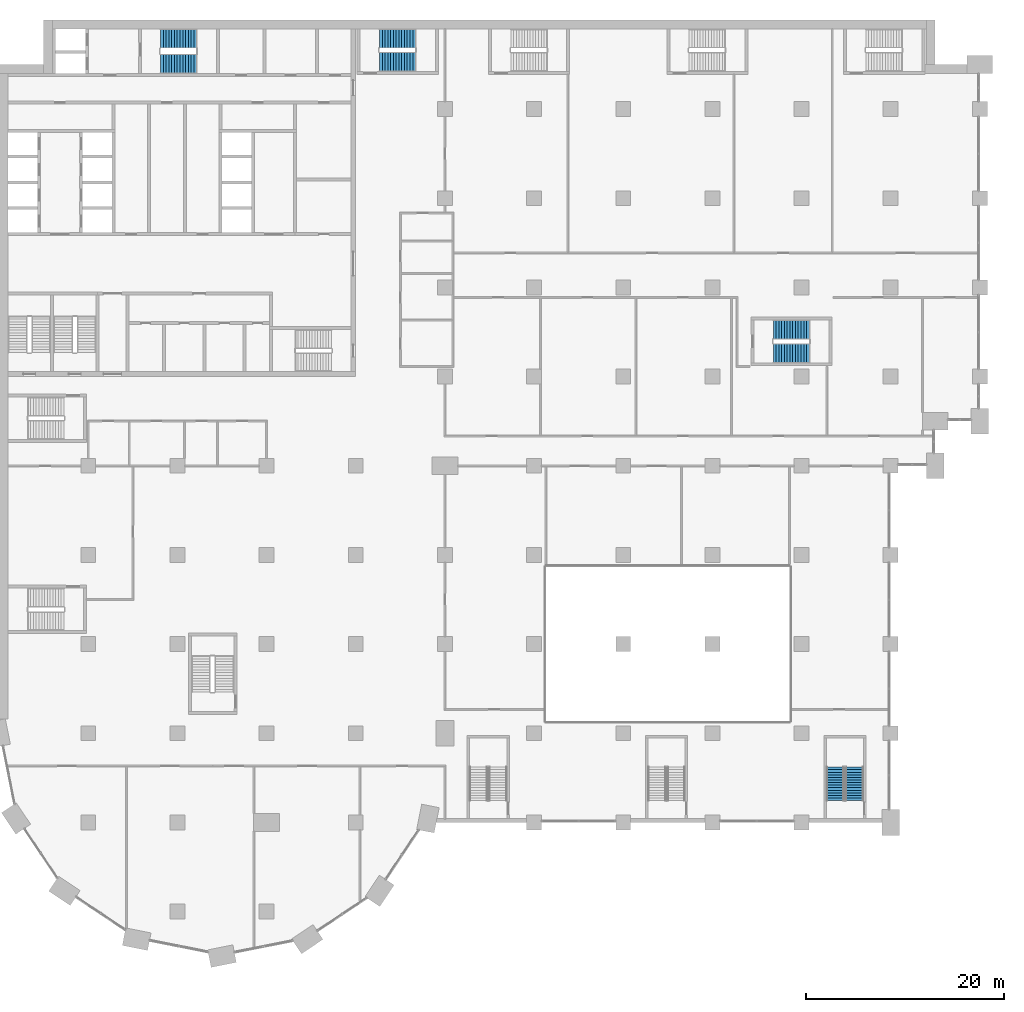
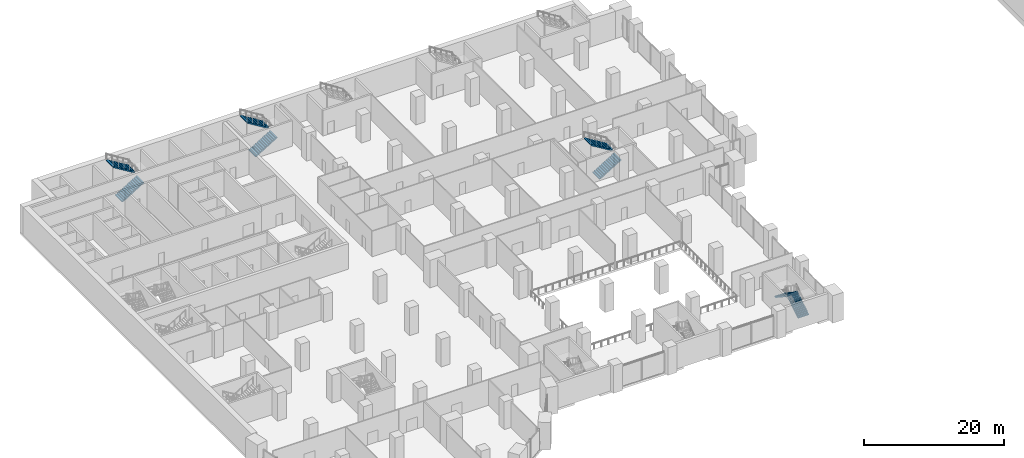
# One storey, part 33 of 49: 8 stair flights, 4 elements without a shape of their own.
"""IFC4 building model written with IfcOpenShell, lengths in metres."""

from ifc_helpers import new_model, si_unit, direction, frame, origin, place, context, subcontext, project, spatial, polyline, outline, extrude, material, type_object, element, aggregate, save


model = new_model("IFC4")

# Units and contexts
model_context = context("Model", 3, precision=1e-05, world=origin(), true_north=direction((0.0, 1.0)))
body_context = subcontext(model_context, "Body", "Model", "MODEL_VIEW")
ifc_project = project(units=[si_unit("LENGTHUNIT", "METRE"), si_unit("AREAUNIT", "SQUARE_METRE"), si_unit("VOLUMEUNIT", "CUBIC_METRE"), si_unit("PLANEANGLEUNIT", "RADIAN"), si_unit("MASSUNIT", "GRAM", prefix="KILO")], contexts=[model_context])

# Site, building, storey
site_placement = place(None, origin())
site = spatial("IfcSite", under=ifc_project, at=site_placement, CompositionType="ELEMENT")
building_placement = place(site_placement, origin())
building = spatial("IfcBuilding", under=site, at=building_placement, Name="Hunhe Ridgeline Campus", CompositionType="ELEMENT")
storey_placement = place(building_placement, frame((0.0, 0.0, 21.60009765625)))
storey = spatial("IfcBuildingStorey", under=building, at=storey_placement, Name="L04", CompositionType="ELEMENT", Elevation=21.60009765625)

# Stair, stair flights
ifc_material = material(Name="Concrete C40", Category="concrete")
stair_type_1 = type_object("IfcStairType", Name="Podium exit stair 1800", PredefinedType="HALF_TURN_STAIR", material=ifc_material)
stair_1_placement = place(storey_placement, origin())
stair_1 = element("IfcStair", 1, at=stair_1_placement, inside=storey, type_object=stair_type_1, Name="L04 podium stair PS3", PredefinedType="HALF_TURN_STAIR")
stair_flight_type_1 = type_object("IfcStairFlightType", Name="Podium stair flight 1800", PredefinedType="STRAIGHT", material=ifc_material)
stair_flight_1_placement = place(storey_placement, frame((86.35009765625, 20.199951171875, 0.0), z_axis=(0.0, 0.0, 1.0), x_axis=(0.0, 1.0, 0.0)))
stair_flight_1 = element("IfcStairFlight", 2, at=stair_flight_1_placement, type_object=stair_flight_type_1, Name="PS3 flight 1", NumberOfRisers=14, NumberOfTreads=13, PredefinedType="STRAIGHT", RiserHeight=0.171428571, TreadLength=0.26, context=body_context, shape_type="SweptSolid", body=[
    extrude(outline(polyline([(0.0, 0.0), (0.0, 0.17138671875), (0.260009765625, 0.17138671875), (0.260009765625, 0.3427734375), (0.52001953125, 0.3427734375), (0.52001953125, 0.514404296875), (0.780029296875, 0.514404296875), (0.780029296875, 0.685791015625), (1.0400390625, 0.685791015625), (1.0400390625, 0.857177734375), (1.300048828125, 0.857177734375), (1.300048828125, 1.028564453125), (1.56005859375, 1.028564453125), (1.56005859375, 1.199951171875), (1.820068359375, 1.199951171875), (1.820068359375, 1.371337890625), (2.080078125, 1.371337890625), (2.080078125, 1.54296875), (2.340087890625, 1.54296875), (2.340087890625, 1.71435546875), (2.60009765625, 1.71435546875), (2.60009765625, 1.8857421875), (2.860107421875, 1.8857421875), (2.860107421875, 2.05712890625), (3.1201171875, 2.05712890625), (3.1201171875, 2.228515625), (3.3798828125, 2.228515625), (3.3798828125, 2.39990234375), (3.3798828125, 2.049072265625), (0.272216796875, 0.0), (0.0, 0.0)])), frame((0.0, 0.89990234375, 0.0), z_axis=(0.0, -1.0, 0.0), x_axis=(1.0, 0.0, 0.0)), (0.0, 0.0, 1.0), 1.800048828125),
])
stair_flight_2_placement = place(storey_placement, frame((84.39990234375, 23.580078125, 2.39990234375), z_axis=(0.0, 0.0, 1.0), x_axis=(0.0, -1.0, 0.0)))
stair_flight_2 = element("IfcStairFlight", 3, at=stair_flight_2_placement, type_object=stair_flight_type_1, Name="PS3 flight 2", NumberOfRisers=14, NumberOfTreads=13, PredefinedType="STRAIGHT", RiserHeight=0.171428571, TreadLength=0.26, context=body_context, shape_type="SweptSolid", body=[
    extrude(outline(polyline([(0.0, 0.0), (0.0, 0.17138671875), (0.260009765625, 0.17138671875), (0.260009765625, 0.3427734375), (0.52001953125, 0.3427734375), (0.52001953125, 0.514404296875), (0.780029296875, 0.514404296875), (0.780029296875, 0.685791015625), (1.0400390625, 0.685791015625), (1.0400390625, 0.857177734375), (1.300048828125, 0.857177734375), (1.300048828125, 1.028564453125), (1.56005859375, 1.028564453125), (1.56005859375, 1.199951171875), (1.820068359375, 1.199951171875), (1.820068359375, 1.371337890625), (2.080078125, 1.371337890625), (2.080078125, 1.54296875), (2.340087890625, 1.54296875), (2.340087890625, 1.71435546875), (2.60009765625, 1.71435546875), (2.60009765625, 1.8857421875), (2.860107421875, 1.8857421875), (2.860107421875, 2.05712890625), (3.1201171875, 2.05712890625), (3.1201171875, 2.228515625), (3.3798828125, 2.228515625), (3.3798828125, 2.39990234375), (3.3798828125, 2.049072265625), (0.272216796875, 0.0), (0.0, 0.0)])), frame((0.0, 0.89990234375, 0.0), z_axis=(0.0, -1.0, 0.0), x_axis=(1.0, 0.0, 0.0)), (0.0, 0.0, 1.0), 1.800048828125),
])
aggregate(stair_1, [stair_flight_1, stair_flight_2])

stair_type_2 = type_object("IfcStairType", Name="Reinforced concrete dog-leg stair 1950 Concrete C40", PredefinedType="HALF_TURN_STAIR", material=ifc_material)
stair_2_placement = place(storey_placement, origin())
stair_2 = element("IfcStair", 4, at=stair_2_placement, inside=storey, type_object=stair_type_2, Name="L04 S1", PredefinedType="HALF_TURN_STAIR")
stair_flight_type_2 = type_object("IfcStairFlightType", Name="Reinforced concrete stair flight 1950 Concrete C40", PredefinedType="STRAIGHT", material=ifc_material)
stair_flight_3_placement = place(storey_placement, frame((16.300048828125, 94.574951171875, 0.0), z_axis=(0.0, 0.0, 1.0), x_axis=(1.0, 0.0, 0.0)))
stair_flight_3 = element("IfcStairFlight", 5, at=stair_flight_3_placement, type_object=stair_flight_type_2, Name="ST1 flight 1", NumberOfRisers=14, NumberOfTreads=13, PredefinedType="STRAIGHT", RiserHeight=0.171428571, TreadLength=0.28, context=body_context, shape_type="SweptSolid", body=[
    extrude(outline(polyline([(0.0, 0.0), (0.0, 0.17138671875), (0.280029296875, 0.17138671875), (0.280029296875, 0.3427734375), (0.56005859375, 0.3427734375), (0.56005859375, 0.514404296875), (0.840087890625, 0.514404296875), (0.840087890625, 0.685791015625), (1.1201171875, 0.685791015625), (1.1201171875, 0.857177734375), (1.39990234375, 0.857177734375), (1.39990234375, 1.028564453125), (1.679931640625, 1.028564453125), (1.679931640625, 1.199951171875), (1.9599609375, 1.199951171875), (1.9599609375, 1.371337890625), (2.239990234375, 1.371337890625), (2.239990234375, 1.54296875), (2.52001953125, 1.54296875), (2.52001953125, 1.71435546875), (2.800048828125, 1.71435546875), (2.800048828125, 1.8857421875), (3.080078125, 1.8857421875), (3.080078125, 2.05712890625), (3.360107421875, 2.05712890625), (3.360107421875, 2.228515625), (3.639892578125, 2.228515625), (3.639892578125, 2.39990234375), (3.639892578125, 2.052734375), (0.287109375, 0.0), (0.0, 0.0)])), frame((0.0, 0.97509765625, 0.0), z_axis=(0.0, -1.0, 0.0), x_axis=(1.0, 0.0, 0.0)), (0.0, 0.0, 1.0), 1.949951171875),
    extrude(outline(polyline([(0.030029296875, 0.030029296875), (0.030029296875, 0.141357421875), (0.31005859375, 0.141357421875), (0.31005859375, 0.31298828125), (0.590087890625, 0.31298828125), (0.590087890625, 0.484375), (0.8701171875, 0.484375), (0.8701171875, 0.65576171875), (1.14990234375, 0.65576171875), (1.14990234375, 0.8271484375), (1.429931640625, 0.8271484375), (1.429931640625, 0.99853515625), (1.7099609375, 0.99853515625), (1.7099609375, 1.169921875), (1.989990234375, 1.169921875), (1.989990234375, 1.34130859375), (2.27001953125, 1.34130859375), (2.27001953125, 1.512939453125), (2.550048828125, 1.512939453125), (2.550048828125, 1.684326171875), (2.830078125, 1.684326171875), (2.830078125, 1.855712890625), (3.110107421875, 1.855712890625), (3.110107421875, 2.027099609375), (3.389892578125, 2.027099609375), (3.389892578125, 2.198486328125), (3.610107421875, 2.198486328125), (3.610107421875, 2.069580078125), (0.278564453125, 0.030029296875), (0.030029296875, 0.030029296875)])), frame((0.0, -0.070068359375, 0.0), z_axis=(0.0, -1.0, 0.0), x_axis=(1.0, 0.0, 0.0)), (0.0, 0.0, 1.0), 0.019775390625),
    extrude(outline(polyline([(0.030029296875, 0.030029296875), (0.030029296875, 0.141357421875), (0.31005859375, 0.141357421875), (0.31005859375, 0.31298828125), (0.590087890625, 0.31298828125), (0.590087890625, 0.484375), (0.8701171875, 0.484375), (0.8701171875, 0.65576171875), (1.14990234375, 0.65576171875), (1.14990234375, 0.8271484375), (1.429931640625, 0.8271484375), (1.429931640625, 0.99853515625), (1.7099609375, 0.99853515625), (1.7099609375, 1.169921875), (1.989990234375, 1.169921875), (1.989990234375, 1.34130859375), (2.27001953125, 1.34130859375), (2.27001953125, 1.512939453125), (2.550048828125, 1.512939453125), (2.550048828125, 1.684326171875), (2.830078125, 1.684326171875), (2.830078125, 1.855712890625), (3.110107421875, 1.855712890625), (3.110107421875, 2.027099609375), (3.389892578125, 2.027099609375), (3.389892578125, 2.198486328125), (3.610107421875, 2.198486328125), (3.610107421875, 2.069580078125), (0.278564453125, 0.030029296875), (0.030029296875, 0.030029296875)])), frame((0.0, 0.010009765625, 0.0), z_axis=(0.0, -1.0, 0.0), x_axis=(1.0, 0.0, 0.0)), (0.0, 0.0, 1.0), 0.019775390625),
    extrude(outline(polyline([(0.030029296875, 0.030029296875), (0.030029296875, 0.141357421875), (0.31005859375, 0.141357421875), (0.31005859375, 0.31298828125), (0.590087890625, 0.31298828125), (0.590087890625, 0.484375), (0.8701171875, 0.484375), (0.8701171875, 0.65576171875), (1.14990234375, 0.65576171875), (1.14990234375, 0.8271484375), (1.429931640625, 0.8271484375), (1.429931640625, 0.99853515625), (1.7099609375, 0.99853515625), (1.7099609375, 1.169921875), (1.989990234375, 1.169921875), (1.989990234375, 1.34130859375), (2.27001953125, 1.34130859375), (2.27001953125, 1.512939453125), (2.550048828125, 1.512939453125), (2.550048828125, 1.684326171875), (2.830078125, 1.684326171875), (2.830078125, 1.855712890625), (3.110107421875, 1.855712890625), (3.110107421875, 2.027099609375), (3.389892578125, 2.027099609375), (3.389892578125, 2.198486328125), (3.610107421875, 2.198486328125), (3.610107421875, 2.069580078125), (0.278564453125, 0.030029296875), (0.030029296875, 0.030029296875)])), frame((0.0, 0.090087890625, 0.0), z_axis=(0.0, -1.0, 0.0), x_axis=(1.0, 0.0, 0.0)), (0.0, 0.0, 1.0), 0.019775390625),
])
stair_flight_4_placement = place(storey_placement, frame((19.93994140625, 97.125, 2.39990234375), z_axis=(0.0, 0.0, 1.0), x_axis=(-1.0, 0.0, 0.0)))
stair_flight_4 = element("IfcStairFlight", 6, at=stair_flight_4_placement, type_object=stair_flight_type_2, Name="ST1 flight 2", NumberOfRisers=14, NumberOfTreads=13, PredefinedType="STRAIGHT", RiserHeight=0.171428571, TreadLength=0.28, context=body_context, shape_type="SweptSolid", body=[
    extrude(outline(polyline([(0.0, 0.0), (0.0, 0.17138671875), (0.280029296875, 0.17138671875), (0.280029296875, 0.3427734375), (0.56005859375, 0.3427734375), (0.56005859375, 0.514404296875), (0.840087890625, 0.514404296875), (0.840087890625, 0.685791015625), (1.1201171875, 0.685791015625), (1.1201171875, 0.857177734375), (1.39990234375, 0.857177734375), (1.39990234375, 1.028564453125), (1.679931640625, 1.028564453125), (1.679931640625, 1.199951171875), (1.9599609375, 1.199951171875), (1.9599609375, 1.371337890625), (2.239990234375, 1.371337890625), (2.239990234375, 1.54296875), (2.52001953125, 1.54296875), (2.52001953125, 1.71435546875), (2.800048828125, 1.71435546875), (2.800048828125, 1.8857421875), (3.080078125, 1.8857421875), (3.080078125, 2.05712890625), (3.360107421875, 2.05712890625), (3.360107421875, 2.228515625), (3.639892578125, 2.228515625), (3.639892578125, 2.39990234375), (3.639892578125, 2.052734375), (0.287109375, 0.0), (0.0, 0.0)])), frame((0.0, 0.97509765625, 0.0), z_axis=(0.0, -1.0, 0.0), x_axis=(1.0, 0.0, 0.0)), (0.0, 0.0, 1.0), 1.949951171875),
    extrude(outline(polyline([(0.030029296875, 0.030029296875), (0.030029296875, 0.141357421875), (0.31005859375, 0.141357421875), (0.31005859375, 0.31298828125), (0.590087890625, 0.31298828125), (0.590087890625, 0.484375), (0.8701171875, 0.484375), (0.8701171875, 0.65576171875), (1.14990234375, 0.65576171875), (1.14990234375, 0.8271484375), (1.429931640625, 0.8271484375), (1.429931640625, 0.99853515625), (1.7099609375, 0.99853515625), (1.7099609375, 1.169921875), (1.989990234375, 1.169921875), (1.989990234375, 1.34130859375), (2.27001953125, 1.34130859375), (2.27001953125, 1.512939453125), (2.550048828125, 1.512939453125), (2.550048828125, 1.684326171875), (2.830078125, 1.684326171875), (2.830078125, 1.855712890625), (3.110107421875, 1.855712890625), (3.110107421875, 2.027099609375), (3.389892578125, 2.027099609375), (3.389892578125, 2.198486328125), (3.610107421875, 2.198486328125), (3.610107421875, 2.069580078125), (0.278564453125, 0.030029296875), (0.030029296875, 0.030029296875)])), frame((0.0, -0.070068359375, 0.0), z_axis=(0.0, -1.0, 0.0), x_axis=(1.0, 0.0, 0.0)), (0.0, 0.0, 1.0), 0.019775390625),
    extrude(outline(polyline([(0.030029296875, 0.030029296875), (0.030029296875, 0.141357421875), (0.31005859375, 0.141357421875), (0.31005859375, 0.31298828125), (0.590087890625, 0.31298828125), (0.590087890625, 0.484375), (0.8701171875, 0.484375), (0.8701171875, 0.65576171875), (1.14990234375, 0.65576171875), (1.14990234375, 0.8271484375), (1.429931640625, 0.8271484375), (1.429931640625, 0.99853515625), (1.7099609375, 0.99853515625), (1.7099609375, 1.169921875), (1.989990234375, 1.169921875), (1.989990234375, 1.34130859375), (2.27001953125, 1.34130859375), (2.27001953125, 1.512939453125), (2.550048828125, 1.512939453125), (2.550048828125, 1.684326171875), (2.830078125, 1.684326171875), (2.830078125, 1.855712890625), (3.110107421875, 1.855712890625), (3.110107421875, 2.027099609375), (3.389892578125, 2.027099609375), (3.389892578125, 2.198486328125), (3.610107421875, 2.198486328125), (3.610107421875, 2.069580078125), (0.278564453125, 0.030029296875), (0.030029296875, 0.030029296875)])), frame((0.0, 0.010009765625, 0.0), z_axis=(0.0, -1.0, 0.0), x_axis=(1.0, 0.0, 0.0)), (0.0, 0.0, 1.0), 0.019775390625),
    extrude(outline(polyline([(0.030029296875, 0.030029296875), (0.030029296875, 0.141357421875), (0.31005859375, 0.141357421875), (0.31005859375, 0.31298828125), (0.590087890625, 0.31298828125), (0.590087890625, 0.484375), (0.8701171875, 0.484375), (0.8701171875, 0.65576171875), (1.14990234375, 0.65576171875), (1.14990234375, 0.8271484375), (1.429931640625, 0.8271484375), (1.429931640625, 0.99853515625), (1.7099609375, 0.99853515625), (1.7099609375, 1.169921875), (1.989990234375, 1.169921875), (1.989990234375, 1.34130859375), (2.27001953125, 1.34130859375), (2.27001953125, 1.512939453125), (2.550048828125, 1.512939453125), (2.550048828125, 1.684326171875), (2.830078125, 1.684326171875), (2.830078125, 1.855712890625), (3.110107421875, 1.855712890625), (3.110107421875, 2.027099609375), (3.389892578125, 2.027099609375), (3.389892578125, 2.198486328125), (3.610107421875, 2.198486328125), (3.610107421875, 2.069580078125), (0.278564453125, 0.030029296875), (0.030029296875, 0.030029296875)])), frame((0.0, 0.090087890625, 0.0), z_axis=(0.0, -1.0, 0.0), x_axis=(1.0, 0.0, 0.0)), (0.0, 0.0, 1.0), 0.019775390625),
])
aggregate(stair_2, [stair_flight_3, stair_flight_4])

stair_3_placement = place(storey_placement, origin())
stair_3 = element("IfcStair", 7, at=stair_3_placement, inside=storey, type_object=stair_type_2, Name="L04 E1", PredefinedType="HALF_TURN_STAIR")
stair_flight_5_placement = place(storey_placement, frame((38.39990234375, 94.77490234375, 0.0), z_axis=(0.0, 0.0, 1.0), x_axis=(1.0, 0.0, 0.0)))
stair_flight_5 = element("IfcStairFlight", 8, at=stair_flight_5_placement, type_object=stair_flight_type_2, Name="ST5 flight 1", NumberOfRisers=14, NumberOfTreads=13, PredefinedType="STRAIGHT", RiserHeight=0.171428571, TreadLength=0.28, context=body_context, shape_type="SweptSolid", body=[
    extrude(outline(polyline([(0.0, 0.0), (0.0, 0.17138671875), (0.280029296875, 0.17138671875), (0.280029296875, 0.3427734375), (0.56005859375, 0.3427734375), (0.56005859375, 0.514404296875), (0.840087890625, 0.514404296875), (0.840087890625, 0.685791015625), (1.1201171875, 0.685791015625), (1.1201171875, 0.857177734375), (1.39990234375, 0.857177734375), (1.39990234375, 1.028564453125), (1.679931640625, 1.028564453125), (1.679931640625, 1.199951171875), (1.9599609375, 1.199951171875), (1.9599609375, 1.371337890625), (2.239990234375, 1.371337890625), (2.239990234375, 1.54296875), (2.52001953125, 1.54296875), (2.52001953125, 1.71435546875), (2.800048828125, 1.71435546875), (2.800048828125, 1.8857421875), (3.080078125, 1.8857421875), (3.080078125, 2.05712890625), (3.360107421875, 2.05712890625), (3.360107421875, 2.228515625), (3.639892578125, 2.228515625), (3.639892578125, 2.39990234375), (3.639892578125, 2.052734375), (0.287109375, 0.0), (0.0, 0.0)])), frame((0.0, 0.97509765625, 0.0), z_axis=(0.0, -1.0, 0.0), x_axis=(1.0, 0.0, 0.0)), (0.0, 0.0, 1.0), 1.949951171875),
    extrude(outline(polyline([(0.030029296875, 0.030029296875), (0.030029296875, 0.141357421875), (0.31005859375, 0.141357421875), (0.31005859375, 0.31298828125), (0.590087890625, 0.31298828125), (0.590087890625, 0.484375), (0.8701171875, 0.484375), (0.8701171875, 0.65576171875), (1.14990234375, 0.65576171875), (1.14990234375, 0.8271484375), (1.429931640625, 0.8271484375), (1.429931640625, 0.99853515625), (1.7099609375, 0.99853515625), (1.7099609375, 1.169921875), (1.989990234375, 1.169921875), (1.989990234375, 1.34130859375), (2.27001953125, 1.34130859375), (2.27001953125, 1.512939453125), (2.550048828125, 1.512939453125), (2.550048828125, 1.684326171875), (2.830078125, 1.684326171875), (2.830078125, 1.855712890625), (3.110107421875, 1.855712890625), (3.110107421875, 2.027099609375), (3.389892578125, 2.027099609375), (3.389892578125, 2.198486328125), (3.610107421875, 2.198486328125), (3.610107421875, 2.069580078125), (0.278564453125, 0.030029296875), (0.030029296875, 0.030029296875)])), frame((0.0, -0.070068359375, 0.0), z_axis=(0.0, -1.0, 0.0), x_axis=(1.0, 0.0, 0.0)), (0.0, 0.0, 1.0), 0.019775390625),
    extrude(outline(polyline([(0.030029296875, 0.030029296875), (0.030029296875, 0.141357421875), (0.31005859375, 0.141357421875), (0.31005859375, 0.31298828125), (0.590087890625, 0.31298828125), (0.590087890625, 0.484375), (0.8701171875, 0.484375), (0.8701171875, 0.65576171875), (1.14990234375, 0.65576171875), (1.14990234375, 0.8271484375), (1.429931640625, 0.8271484375), (1.429931640625, 0.99853515625), (1.7099609375, 0.99853515625), (1.7099609375, 1.169921875), (1.989990234375, 1.169921875), (1.989990234375, 1.34130859375), (2.27001953125, 1.34130859375), (2.27001953125, 1.512939453125), (2.550048828125, 1.512939453125), (2.550048828125, 1.684326171875), (2.830078125, 1.684326171875), (2.830078125, 1.855712890625), (3.110107421875, 1.855712890625), (3.110107421875, 2.027099609375), (3.389892578125, 2.027099609375), (3.389892578125, 2.198486328125), (3.610107421875, 2.198486328125), (3.610107421875, 2.069580078125), (0.278564453125, 0.030029296875), (0.030029296875, 0.030029296875)])), frame((0.0, 0.010009765625, 0.0), z_axis=(0.0, -1.0, 0.0), x_axis=(1.0, 0.0, 0.0)), (0.0, 0.0, 1.0), 0.019775390625),
    extrude(outline(polyline([(0.030029296875, 0.030029296875), (0.030029296875, 0.141357421875), (0.31005859375, 0.141357421875), (0.31005859375, 0.31298828125), (0.590087890625, 0.31298828125), (0.590087890625, 0.484375), (0.8701171875, 0.484375), (0.8701171875, 0.65576171875), (1.14990234375, 0.65576171875), (1.14990234375, 0.8271484375), (1.429931640625, 0.8271484375), (1.429931640625, 0.99853515625), (1.7099609375, 0.99853515625), (1.7099609375, 1.169921875), (1.989990234375, 1.169921875), (1.989990234375, 1.34130859375), (2.27001953125, 1.34130859375), (2.27001953125, 1.512939453125), (2.550048828125, 1.512939453125), (2.550048828125, 1.684326171875), (2.830078125, 1.684326171875), (2.830078125, 1.855712890625), (3.110107421875, 1.855712890625), (3.110107421875, 2.027099609375), (3.389892578125, 2.027099609375), (3.389892578125, 2.198486328125), (3.610107421875, 2.198486328125), (3.610107421875, 2.069580078125), (0.278564453125, 0.030029296875), (0.030029296875, 0.030029296875)])), frame((0.0, 0.090087890625, 0.0), z_axis=(0.0, -1.0, 0.0), x_axis=(1.0, 0.0, 0.0)), (0.0, 0.0, 1.0), 0.019775390625),
])
stair_flight_6_placement = place(storey_placement, frame((42.0400390625, 97.125, 2.39990234375), z_axis=(0.0, 0.0, 1.0), x_axis=(-1.0, 0.0, 0.0)))
stair_flight_6 = element("IfcStairFlight", 9, at=stair_flight_6_placement, type_object=stair_flight_type_2, Name="ST5 flight 2", NumberOfRisers=14, NumberOfTreads=13, PredefinedType="STRAIGHT", RiserHeight=0.171428571, TreadLength=0.28, context=body_context, shape_type="SweptSolid", body=[
    extrude(outline(polyline([(0.0, 0.0), (0.0, 0.17138671875), (0.280029296875, 0.17138671875), (0.280029296875, 0.3427734375), (0.56005859375, 0.3427734375), (0.56005859375, 0.514404296875), (0.840087890625, 0.514404296875), (0.840087890625, 0.685791015625), (1.1201171875, 0.685791015625), (1.1201171875, 0.857177734375), (1.39990234375, 0.857177734375), (1.39990234375, 1.028564453125), (1.679931640625, 1.028564453125), (1.679931640625, 1.199951171875), (1.9599609375, 1.199951171875), (1.9599609375, 1.371337890625), (2.239990234375, 1.371337890625), (2.239990234375, 1.54296875), (2.52001953125, 1.54296875), (2.52001953125, 1.71435546875), (2.800048828125, 1.71435546875), (2.800048828125, 1.8857421875), (3.080078125, 1.8857421875), (3.080078125, 2.05712890625), (3.360107421875, 2.05712890625), (3.360107421875, 2.228515625), (3.639892578125, 2.228515625), (3.639892578125, 2.39990234375), (3.639892578125, 2.052734375), (0.287109375, 0.0), (0.0, 0.0)])), frame((0.0, 0.97509765625, 0.0), z_axis=(0.0, -1.0, 0.0), x_axis=(1.0, 0.0, 0.0)), (0.0, 0.0, 1.0), 1.949951171875),
    extrude(outline(polyline([(0.030029296875, 0.030029296875), (0.030029296875, 0.141357421875), (0.31005859375, 0.141357421875), (0.31005859375, 0.31298828125), (0.590087890625, 0.31298828125), (0.590087890625, 0.484375), (0.8701171875, 0.484375), (0.8701171875, 0.65576171875), (1.14990234375, 0.65576171875), (1.14990234375, 0.8271484375), (1.429931640625, 0.8271484375), (1.429931640625, 0.99853515625), (1.7099609375, 0.99853515625), (1.7099609375, 1.169921875), (1.989990234375, 1.169921875), (1.989990234375, 1.34130859375), (2.27001953125, 1.34130859375), (2.27001953125, 1.512939453125), (2.550048828125, 1.512939453125), (2.550048828125, 1.684326171875), (2.830078125, 1.684326171875), (2.830078125, 1.855712890625), (3.110107421875, 1.855712890625), (3.110107421875, 2.027099609375), (3.389892578125, 2.027099609375), (3.389892578125, 2.198486328125), (3.610107421875, 2.198486328125), (3.610107421875, 2.069580078125), (0.278564453125, 0.030029296875), (0.030029296875, 0.030029296875)])), frame((0.0, -0.070068359375, 0.0), z_axis=(0.0, -1.0, 0.0), x_axis=(1.0, 0.0, 0.0)), (0.0, 0.0, 1.0), 0.019775390625),
    extrude(outline(polyline([(0.030029296875, 0.030029296875), (0.030029296875, 0.141357421875), (0.31005859375, 0.141357421875), (0.31005859375, 0.31298828125), (0.590087890625, 0.31298828125), (0.590087890625, 0.484375), (0.8701171875, 0.484375), (0.8701171875, 0.65576171875), (1.14990234375, 0.65576171875), (1.14990234375, 0.8271484375), (1.429931640625, 0.8271484375), (1.429931640625, 0.99853515625), (1.7099609375, 0.99853515625), (1.7099609375, 1.169921875), (1.989990234375, 1.169921875), (1.989990234375, 1.34130859375), (2.27001953125, 1.34130859375), (2.27001953125, 1.512939453125), (2.550048828125, 1.512939453125), (2.550048828125, 1.684326171875), (2.830078125, 1.684326171875), (2.830078125, 1.855712890625), (3.110107421875, 1.855712890625), (3.110107421875, 2.027099609375), (3.389892578125, 2.027099609375), (3.389892578125, 2.198486328125), (3.610107421875, 2.198486328125), (3.610107421875, 2.069580078125), (0.278564453125, 0.030029296875), (0.030029296875, 0.030029296875)])), frame((0.0, 0.010009765625, 0.0), z_axis=(0.0, -1.0, 0.0), x_axis=(1.0, 0.0, 0.0)), (0.0, 0.0, 1.0), 0.019775390625),
    extrude(outline(polyline([(0.030029296875, 0.030029296875), (0.030029296875, 0.141357421875), (0.31005859375, 0.141357421875), (0.31005859375, 0.31298828125), (0.590087890625, 0.31298828125), (0.590087890625, 0.484375), (0.8701171875, 0.484375), (0.8701171875, 0.65576171875), (1.14990234375, 0.65576171875), (1.14990234375, 0.8271484375), (1.429931640625, 0.8271484375), (1.429931640625, 0.99853515625), (1.7099609375, 0.99853515625), (1.7099609375, 1.169921875), (1.989990234375, 1.169921875), (1.989990234375, 1.34130859375), (2.27001953125, 1.34130859375), (2.27001953125, 1.512939453125), (2.550048828125, 1.512939453125), (2.550048828125, 1.684326171875), (2.830078125, 1.684326171875), (2.830078125, 1.855712890625), (3.110107421875, 1.855712890625), (3.110107421875, 2.027099609375), (3.389892578125, 2.027099609375), (3.389892578125, 2.198486328125), (3.610107421875, 2.198486328125), (3.610107421875, 2.069580078125), (0.278564453125, 0.030029296875), (0.030029296875, 0.030029296875)])), frame((0.0, 0.090087890625, 0.0), z_axis=(0.0, -1.0, 0.0), x_axis=(1.0, 0.0, 0.0)), (0.0, 0.0, 1.0), 0.019775390625),
])
aggregate(stair_3, [stair_flight_5, stair_flight_6])

stair_4_placement = place(storey_placement, origin())
stair_4 = element("IfcStair", 10, at=stair_4_placement, inside=storey, type_object=stair_type_2, Name="L04 E5", PredefinedType="HALF_TURN_STAIR")
stair_flight_7_placement = place(storey_placement, frame((78.14990234375, 65.375, 0.0), z_axis=(0.0, 0.0, 1.0), x_axis=(1.0, 0.0, 0.0)))
stair_flight_7 = element("IfcStairFlight", 11, at=stair_flight_7_placement, type_object=stair_flight_type_2, Name="ST10 flight 1", NumberOfRisers=14, NumberOfTreads=13, PredefinedType="STRAIGHT", RiserHeight=0.171428571, TreadLength=0.28, context=body_context, shape_type="SweptSolid", body=[
    extrude(outline(polyline([(0.0, 0.0), (0.0, 0.17138671875), (0.280029296875, 0.17138671875), (0.280029296875, 0.3427734375), (0.56005859375, 0.3427734375), (0.56005859375, 0.514404296875), (0.840087890625, 0.514404296875), (0.840087890625, 0.685791015625), (1.1201171875, 0.685791015625), (1.1201171875, 0.857177734375), (1.39990234375, 0.857177734375), (1.39990234375, 1.028564453125), (1.679931640625, 1.028564453125), (1.679931640625, 1.199951171875), (1.9599609375, 1.199951171875), (1.9599609375, 1.371337890625), (2.239990234375, 1.371337890625), (2.239990234375, 1.54296875), (2.52001953125, 1.54296875), (2.52001953125, 1.71435546875), (2.800048828125, 1.71435546875), (2.800048828125, 1.8857421875), (3.080078125, 1.8857421875), (3.080078125, 2.05712890625), (3.360107421875, 2.05712890625), (3.360107421875, 2.228515625), (3.639892578125, 2.228515625), (3.639892578125, 2.39990234375), (3.639892578125, 2.052734375), (0.287109375, 0.0), (0.0, 0.0)])), frame((0.0, 0.97509765625, 0.0), z_axis=(0.0, -1.0, 0.0), x_axis=(1.0, 0.0, 0.0)), (0.0, 0.0, 1.0), 1.949951171875),
    extrude(outline(polyline([(0.030029296875, 0.030029296875), (0.030029296875, 0.141357421875), (0.31005859375, 0.141357421875), (0.31005859375, 0.31298828125), (0.590087890625, 0.31298828125), (0.590087890625, 0.484375), (0.8701171875, 0.484375), (0.8701171875, 0.65576171875), (1.14990234375, 0.65576171875), (1.14990234375, 0.8271484375), (1.429931640625, 0.8271484375), (1.429931640625, 0.99853515625), (1.7099609375, 0.99853515625), (1.7099609375, 1.169921875), (1.989990234375, 1.169921875), (1.989990234375, 1.34130859375), (2.27001953125, 1.34130859375), (2.27001953125, 1.512939453125), (2.550048828125, 1.512939453125), (2.550048828125, 1.684326171875), (2.830078125, 1.684326171875), (2.830078125, 1.855712890625), (3.110107421875, 1.855712890625), (3.110107421875, 2.027099609375), (3.389892578125, 2.027099609375), (3.389892578125, 2.198486328125), (3.610107421875, 2.198486328125), (3.610107421875, 2.069580078125), (0.278564453125, 0.030029296875), (0.030029296875, 0.030029296875)])), frame((0.0, -0.070068359375, 0.0), z_axis=(0.0, -1.0, 0.0), x_axis=(1.0, 0.0, 0.0)), (0.0, 0.0, 1.0), 0.019775390625),
    extrude(outline(polyline([(0.030029296875, 0.030029296875), (0.030029296875, 0.141357421875), (0.31005859375, 0.141357421875), (0.31005859375, 0.31298828125), (0.590087890625, 0.31298828125), (0.590087890625, 0.484375), (0.8701171875, 0.484375), (0.8701171875, 0.65576171875), (1.14990234375, 0.65576171875), (1.14990234375, 0.8271484375), (1.429931640625, 0.8271484375), (1.429931640625, 0.99853515625), (1.7099609375, 0.99853515625), (1.7099609375, 1.169921875), (1.989990234375, 1.169921875), (1.989990234375, 1.34130859375), (2.27001953125, 1.34130859375), (2.27001953125, 1.512939453125), (2.550048828125, 1.512939453125), (2.550048828125, 1.684326171875), (2.830078125, 1.684326171875), (2.830078125, 1.855712890625), (3.110107421875, 1.855712890625), (3.110107421875, 2.027099609375), (3.389892578125, 2.027099609375), (3.389892578125, 2.198486328125), (3.610107421875, 2.198486328125), (3.610107421875, 2.069580078125), (0.278564453125, 0.030029296875), (0.030029296875, 0.030029296875)])), frame((0.0, 0.010009765625, 0.0), z_axis=(0.0, -1.0, 0.0), x_axis=(1.0, 0.0, 0.0)), (0.0, 0.0, 1.0), 0.019775390625),
    extrude(outline(polyline([(0.030029296875, 0.030029296875), (0.030029296875, 0.141357421875), (0.31005859375, 0.141357421875), (0.31005859375, 0.31298828125), (0.590087890625, 0.31298828125), (0.590087890625, 0.484375), (0.8701171875, 0.484375), (0.8701171875, 0.65576171875), (1.14990234375, 0.65576171875), (1.14990234375, 0.8271484375), (1.429931640625, 0.8271484375), (1.429931640625, 0.99853515625), (1.7099609375, 0.99853515625), (1.7099609375, 1.169921875), (1.989990234375, 1.169921875), (1.989990234375, 1.34130859375), (2.27001953125, 1.34130859375), (2.27001953125, 1.512939453125), (2.550048828125, 1.512939453125), (2.550048828125, 1.684326171875), (2.830078125, 1.684326171875), (2.830078125, 1.855712890625), (3.110107421875, 1.855712890625), (3.110107421875, 2.027099609375), (3.389892578125, 2.027099609375), (3.389892578125, 2.198486328125), (3.610107421875, 2.198486328125), (3.610107421875, 2.069580078125), (0.278564453125, 0.030029296875), (0.030029296875, 0.030029296875)])), frame((0.0, 0.090087890625, 0.0), z_axis=(0.0, -1.0, 0.0), x_axis=(1.0, 0.0, 0.0)), (0.0, 0.0, 1.0), 0.019775390625),
])
stair_flight_8_placement = place(storey_placement, frame((81.7900390625, 67.72509765625, 2.39990234375), z_axis=(0.0, 0.0, 1.0), x_axis=(-1.0, 0.0, 0.0)))
stair_flight_8 = element("IfcStairFlight", 12, at=stair_flight_8_placement, type_object=stair_flight_type_2, Name="ST10 flight 2", NumberOfRisers=14, NumberOfTreads=13, PredefinedType="STRAIGHT", RiserHeight=0.171428571, TreadLength=0.28, context=body_context, shape_type="SweptSolid", body=[
    extrude(outline(polyline([(0.0, 0.0), (0.0, 0.17138671875), (0.280029296875, 0.17138671875), (0.280029296875, 0.3427734375), (0.56005859375, 0.3427734375), (0.56005859375, 0.514404296875), (0.840087890625, 0.514404296875), (0.840087890625, 0.685791015625), (1.1201171875, 0.685791015625), (1.1201171875, 0.857177734375), (1.39990234375, 0.857177734375), (1.39990234375, 1.028564453125), (1.679931640625, 1.028564453125), (1.679931640625, 1.199951171875), (1.9599609375, 1.199951171875), (1.9599609375, 1.371337890625), (2.239990234375, 1.371337890625), (2.239990234375, 1.54296875), (2.52001953125, 1.54296875), (2.52001953125, 1.71435546875), (2.800048828125, 1.71435546875), (2.800048828125, 1.8857421875), (3.080078125, 1.8857421875), (3.080078125, 2.05712890625), (3.360107421875, 2.05712890625), (3.360107421875, 2.228515625), (3.639892578125, 2.228515625), (3.639892578125, 2.39990234375), (3.639892578125, 2.052734375), (0.287109375, 0.0), (0.0, 0.0)])), frame((0.0, 0.97509765625, 0.0), z_axis=(0.0, -1.0, 0.0), x_axis=(1.0, 0.0, 0.0)), (0.0, 0.0, 1.0), 1.949951171875),
    extrude(outline(polyline([(0.030029296875, 0.030029296875), (0.030029296875, 0.141357421875), (0.31005859375, 0.141357421875), (0.31005859375, 0.31298828125), (0.590087890625, 0.31298828125), (0.590087890625, 0.484375), (0.8701171875, 0.484375), (0.8701171875, 0.65576171875), (1.14990234375, 0.65576171875), (1.14990234375, 0.8271484375), (1.429931640625, 0.8271484375), (1.429931640625, 0.99853515625), (1.7099609375, 0.99853515625), (1.7099609375, 1.169921875), (1.989990234375, 1.169921875), (1.989990234375, 1.34130859375), (2.27001953125, 1.34130859375), (2.27001953125, 1.512939453125), (2.550048828125, 1.512939453125), (2.550048828125, 1.684326171875), (2.830078125, 1.684326171875), (2.830078125, 1.855712890625), (3.110107421875, 1.855712890625), (3.110107421875, 2.027099609375), (3.389892578125, 2.027099609375), (3.389892578125, 2.198486328125), (3.610107421875, 2.198486328125), (3.610107421875, 2.069580078125), (0.278564453125, 0.030029296875), (0.030029296875, 0.030029296875)])), frame((0.0, -0.070068359375, 0.0), z_axis=(0.0, -1.0, 0.0), x_axis=(1.0, 0.0, 0.0)), (0.0, 0.0, 1.0), 0.019775390625),
    extrude(outline(polyline([(0.030029296875, 0.030029296875), (0.030029296875, 0.141357421875), (0.31005859375, 0.141357421875), (0.31005859375, 0.31298828125), (0.590087890625, 0.31298828125), (0.590087890625, 0.484375), (0.8701171875, 0.484375), (0.8701171875, 0.65576171875), (1.14990234375, 0.65576171875), (1.14990234375, 0.8271484375), (1.429931640625, 0.8271484375), (1.429931640625, 0.99853515625), (1.7099609375, 0.99853515625), (1.7099609375, 1.169921875), (1.989990234375, 1.169921875), (1.989990234375, 1.34130859375), (2.27001953125, 1.34130859375), (2.27001953125, 1.512939453125), (2.550048828125, 1.512939453125), (2.550048828125, 1.684326171875), (2.830078125, 1.684326171875), (2.830078125, 1.855712890625), (3.110107421875, 1.855712890625), (3.110107421875, 2.027099609375), (3.389892578125, 2.027099609375), (3.389892578125, 2.198486328125), (3.610107421875, 2.198486328125), (3.610107421875, 2.069580078125), (0.278564453125, 0.030029296875), (0.030029296875, 0.030029296875)])), frame((0.0, 0.010009765625, 0.0), z_axis=(0.0, -1.0, 0.0), x_axis=(1.0, 0.0, 0.0)), (0.0, 0.0, 1.0), 0.019775390625),
    extrude(outline(polyline([(0.030029296875, 0.030029296875), (0.030029296875, 0.141357421875), (0.31005859375, 0.141357421875), (0.31005859375, 0.31298828125), (0.590087890625, 0.31298828125), (0.590087890625, 0.484375), (0.8701171875, 0.484375), (0.8701171875, 0.65576171875), (1.14990234375, 0.65576171875), (1.14990234375, 0.8271484375), (1.429931640625, 0.8271484375), (1.429931640625, 0.99853515625), (1.7099609375, 0.99853515625), (1.7099609375, 1.169921875), (1.989990234375, 1.169921875), (1.989990234375, 1.34130859375), (2.27001953125, 1.34130859375), (2.27001953125, 1.512939453125), (2.550048828125, 1.512939453125), (2.550048828125, 1.684326171875), (2.830078125, 1.684326171875), (2.830078125, 1.855712890625), (3.110107421875, 1.855712890625), (3.110107421875, 2.027099609375), (3.389892578125, 2.027099609375), (3.389892578125, 2.198486328125), (3.610107421875, 2.198486328125), (3.610107421875, 2.069580078125), (0.278564453125, 0.030029296875), (0.030029296875, 0.030029296875)])), frame((0.0, 0.090087890625, 0.0), z_axis=(0.0, -1.0, 0.0), x_axis=(1.0, 0.0, 0.0)), (0.0, 0.0, 1.0), 0.019775390625),
])
aggregate(stair_4, [stair_flight_7, stair_flight_8])

save(model, "model.ifc")
